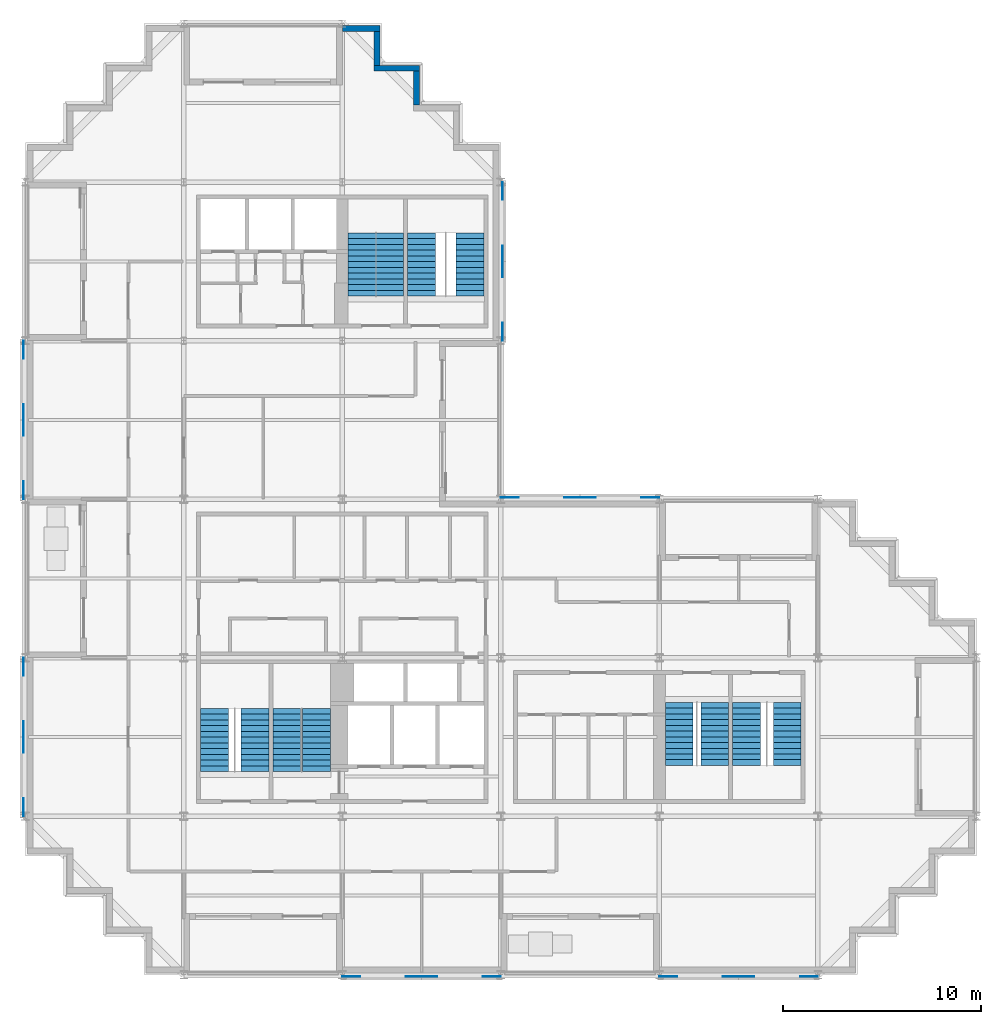
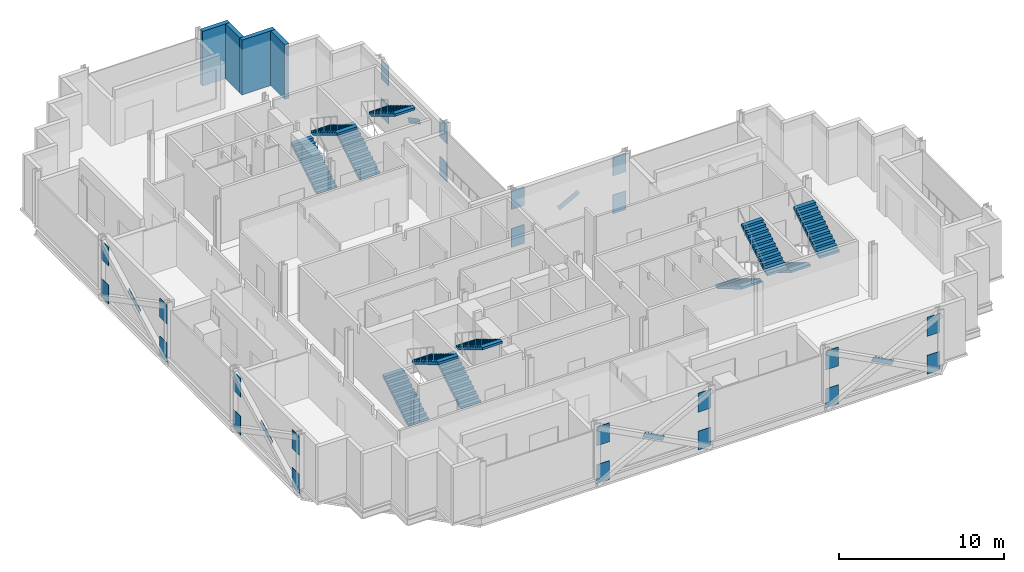
# One storey, part 9 of 11: 30 discrete accessories, 12 stair flights, 4 walls, 6 elements without a shape of their own.
"""IFC4 building model written with IfcOpenShell, lengths in metres."""

import ifcopenshell
import ifcopenshell.guid

model = None  # the IFC model being written
_history = None  # IfcOwnerHistory: only IFC2X3 demands one
_inside = {}  # id of a spatial element -> (the spatial element, [elements in it])
_under = {}  # id of a project, library or spatial element -> (it, [spatial elements below it])
_declared = {}  # id of a project -> (the project, [libraries it declares])
_typed = {}  # id of a type object -> (the type object, [elements of that type])
_made_of = {}  # id of a material, layer set ... -> (it, [elements and type objects made of it])


def new_model(schema):
    """Start an empty IFC model of exactly this schema.

    Asked for "IFC4X3", IfcOpenShell would pick the latest addendum, in which some entities
    have other attributes; the version numbers below select the first issue.
    IFC2X3 requires an IfcOwnerHistory on every rooted entity: one is made here for all.
    """
    global model, _history
    if schema == "IFC4X3":
        model = ifcopenshell.file(schema_version=(4, 3, 0, 0))
    else:
        model = ifcopenshell.file(schema=schema)
    _inside.clear()
    _under.clear()
    _declared.clear()
    _typed.clear()
    _made_of.clear()
    _history = None
    if model.schema == "IFC2X3":
        org = make("IfcOrganization", Name="unknown")
        user = make(
            "IfcPersonAndOrganization",
            ThePerson=make("IfcPerson", FamilyName="unknown"),
            TheOrganization=org,
        )
        app = make(
            "IfcApplication",
            ApplicationDeveloper=org,
            Version="unknown",
            ApplicationFullName="unknown",
            ApplicationIdentifier="unknown",
        )
        _history = make(
            "IfcOwnerHistory",
            OwningUser=user,
            OwningApplication=app,
            ChangeAction="ADDED",
            CreationDate=0,
        )
    return model


def make(cls, **values):
    """One entity of the class cls with the attributes given. An attribute that is None is left unset."""
    return model.create_entity(
        cls, **{name: value for name, value in values.items() if value is not None}
    )


def rooted(cls, **values):
    """An entity with a GlobalId (a new one), such as an element, a storey or a relation."""
    return make(cls, GlobalId=ifcopenshell.guid.new(), OwnerHistory=_history, **values)


def si_unit(unit_type, name, prefix=None):
    """IfcSIUnit, for example si_unit("LENGTHUNIT", "METRE", prefix="MILLI")."""
    return make("IfcSIUnit", UnitType=unit_type, Prefix=prefix, Name=name)


def assignment(units):
    """IfcUnitAssignment: the units of a project."""
    return None if units is None else make("IfcUnitAssignment", Units=units)


def point(xyz):
    """IfcCartesianPoint."""
    return None if xyz is None else make("IfcCartesianPoint", Coordinates=xyz)


def direction(xyz):
    """IfcDirection."""
    return None if xyz is None else make("IfcDirection", DirectionRatios=xyz)


def frame(location, z_axis=None, x_axis=None):
    """IfcAxis2Placement3D, a coordinate frame: its origin and axes. An axis left out is left unset."""
    return make(
        "IfcAxis2Placement3D",
        Location=point(location),
        Axis=direction(z_axis),
        RefDirection=direction(x_axis),
    )


def frame_2d(location, x_axis=None):
    """IfcAxis2Placement2D, a coordinate frame in the plane: its origin and x axis."""
    return make(
        "IfcAxis2Placement2D", Location=point(location), RefDirection=direction(x_axis)
    )


def origin():
    """The frame at (0, 0, 0) with its axes left unset."""
    return frame((0.0, 0.0, 0.0))


def origin_2d():
    """The frame at (0, 0) in the plane with its x axis left unset."""
    return frame_2d((0.0, 0.0))


def place(relative_to, where):
    """IfcLocalPlacement: puts the frame where relative to a parent placement (None: the world)."""
    return make(
        "IfcLocalPlacement", PlacementRelTo=relative_to, RelativePlacement=where
    )


def context(
    kind, dimensions, precision=None, world=None, true_north=None, identifier=None
):
    """IfcGeometricRepresentationContext, for example the 3D "Model" context."""
    return make(
        "IfcGeometricRepresentationContext",
        ContextIdentifier=identifier,
        ContextType=kind,
        CoordinateSpaceDimension=dimensions,
        Precision=precision,
        WorldCoordinateSystem=world,
        TrueNorth=true_north,
    )


def subcontext(parent, identifier, kind, view, scale=None):
    """IfcGeometricRepresentationSubContext, for example "Body" below "Model"."""
    return make(
        "IfcGeometricRepresentationSubContext",
        ContextIdentifier=identifier,
        ContextType=kind,
        ParentContext=parent,
        TargetScale=scale,
        TargetView=view,
    )


def project(units=None, contexts=None):
    """IfcProject with its units and contexts."""
    return rooted(
        "IfcProject",
        Name="project",
        RepresentationContexts=contexts,
        UnitsInContext=assignment(units),
    )


def spatial(cls, under=None, at=None, **own):
    """A site, building, storey or space (cls), placed at a placement, below another one or the project."""
    s = rooted(cls, ObjectPlacement=at, **own)
    if under is not None:
        _under.setdefault(under.id(), (under, []))[1].append(s)
    return s


def polyline(points):
    """IfcPolyline through the points."""
    return make("IfcPolyline", Points=[point(p) for p in points])


def profile(cls, at=None, kind="AREA", **sizes):
    """A parametric profile (cls). Its sizes go by their IFC names, for example OverallWidth=200.0."""
    return make(cls, ProfileType=kind, Position=at, **sizes)


def rectangle(**sizes):
    """IfcRectangleProfileDef."""
    return profile("IfcRectangleProfileDef", **sizes)


def outline(outer, holes=None, kind="AREA"):
    """IfcArbitraryClosedProfileDef: a profile drawn as a closed curve; with holes, ...WithVoids."""
    if holes is None:
        return make("IfcArbitraryClosedProfileDef", ProfileType=kind, OuterCurve=outer)
    return make(
        "IfcArbitraryProfileDefWithVoids",
        ProfileType=kind,
        OuterCurve=outer,
        InnerCurves=holes,
    )


def extrude(swept, where, along, depth):
    """IfcExtrudedAreaSolid: the profile swept, set in the frame where, extruded along a direction by depth."""
    return make(
        "IfcExtrudedAreaSolid",
        SweptArea=swept,
        Position=where,
        ExtrudedDirection=direction(along),
        Depth=depth,
    )


def shape(context_of_items, identifier, shape_type, items):
    """IfcShapeRepresentation: the items that make up one representation, for example the "Body"."""
    return make(
        "IfcShapeRepresentation",
        ContextOfItems=context_of_items,
        RepresentationIdentifier=identifier,
        RepresentationType=shape_type,
        Items=items,
    )


def material(Name=None, Category=None):
    """IfcMaterial."""
    return make("IfcMaterial", Name=Name, Category=Category)


def layer(
    of_material, thickness, ventilated=None, Name=None, Category=None, Priority=None
):
    """IfcMaterialLayer: one layer of a wall or slab, of a material (None: an air gap)."""
    return make(
        "IfcMaterialLayer",
        Material=of_material,
        LayerThickness=thickness,
        IsVentilated=ventilated,
        Name=Name,
        Category=Category,
        Priority=Priority,
    )


def layer_set(layers, Name=None):
    """IfcMaterialLayerSet."""
    return make("IfcMaterialLayerSet", MaterialLayers=layers, LayerSetName=Name)


def material_profile(
    of_material, cross_section, Name=None, Category=None, Priority=None
):
    """IfcMaterialProfile: a cross section and its material."""
    return make(
        "IfcMaterialProfile",
        Name=Name,
        Material=of_material,
        Profile=cross_section,
        Priority=Priority,
        Category=Category,
    )


def profile_set(profiles, Name=None, composite=None):
    """IfcMaterialProfileSet."""
    return make(
        "IfcMaterialProfileSet",
        Name=Name,
        MaterialProfiles=profiles,
        CompositeProfile=composite,
    )


def made_of(thing, what):
    """Note that an element or type object is made of a material, layer set ...; save() writes the relation."""
    if what is not None:
        _made_of.setdefault(what.id(), (what, []))[1].append(thing)
    return thing


def type_object(cls, material=None, **own):
    """A type object (cls), such as IfcWallType, which elements share."""
    return made_of(rooted(cls, **own), material)


def element(
    cls,
    number,
    at=None,
    inside=None,
    cuts=None,
    type_object=None,
    material=None,
    context=None,
    identifier="Body",
    shape_type=None,
    held_by="IfcProductDefinitionShape",
    body=None,
    shapes=None,
    **own,
):
    """One element of the class cls, such as IfcWall. Its Tag is "e" and its number.

    at: its placement. inside: the storey or other place that contains it. cuts: it is an
    opening in that element (IfcRelVoidsElement). A single representation is given by context,
    identifier, shape_type and body (its items); several are given by shapes. held_by: the class
    of the entity that holds the representations. save() writes the other relations.
    """
    e = rooted(cls, Tag="e%d" % number, ObjectPlacement=at, **own)
    if body is not None:
        shapes = [shape(context, identifier, shape_type, body)]
    if shapes is not None:
        e.Representation = make(held_by, Representations=shapes)
    if inside is not None:
        _inside.setdefault(inside.id(), (inside, []))[1].append(e)
    if cuts is not None:
        rooted(
            "IfcRelVoidsElement", RelatingBuildingElement=cuts, RelatedOpeningElement=e
        )
    if type_object is not None:
        _typed.setdefault(type_object.id(), (type_object, []))[1].append(e)
    return made_of(e, material)


def aggregate(whole, parts):
    """IfcRelAggregates: a whole, such as a stair, and the parts it consists of."""
    return rooted("IfcRelAggregates", RelatingObject=whole, RelatedObjects=parts)


def save(model, path):
    """Write the relations noted so far, then the file.

    IfcRelAggregates (storeys below a building ...), IfcRelContainedInSpatialStructure (elements
    in a storey), IfcRelDefinesByType, IfcRelAssociatesMaterial and IfcRelDeclares: one each for
    every whole, place, type object, material and project.
    """
    for whole, parts in _under.values():
        aggregate(whole, parts)
    for where, things in _inside.values():
        rooted(
            "IfcRelContainedInSpatialStructure",
            RelatedElements=things,
            RelatingStructure=where,
        )
    for kind, things in _typed.values():
        rooted("IfcRelDefinesByType", RelatedObjects=things, RelatingType=kind)
    for what, things in _made_of.values():
        rooted("IfcRelAssociatesMaterial", RelatedObjects=things, RelatingMaterial=what)
    for by, libraries in _declared.values():
        rooted("IfcRelDeclares", RelatingContext=by, RelatedDefinitions=libraries)
    model.write(path)


model = new_model("IFC4")

# Units and contexts
model_context = context("Model", 3, precision=1e-05, world=origin(), true_north=direction((0.0, 1.0)))
body_context = subcontext(model_context, "Body", "Model", "MODEL_VIEW")
ifc_project = project(units=[si_unit("LENGTHUNIT", "METRE"), si_unit("AREAUNIT", "SQUARE_METRE"), si_unit("VOLUMEUNIT", "CUBIC_METRE"), si_unit("PLANEANGLEUNIT", "RADIAN"), si_unit("MASSUNIT", "GRAM", prefix="KILO")], contexts=[model_context])

# Site, building, storey
site_placement = place(None, origin())
site = spatial("IfcSite", under=ifc_project, at=site_placement, CompositionType="ELEMENT")
building_placement = place(site_placement, origin())
building = spatial("IfcBuilding", under=site, at=building_placement, Name="Immortelle Media Tower", CompositionType="ELEMENT")
storey_placement = place(building_placement, frame((0.0, 0.0, 157.800048828125)))
storey = spatial("IfcBuildingStorey", under=building, at=storey_placement, Name="L32", CompositionType="ELEMENT", Elevation=157.800048828125)

# Walls
ifc_material_1 = material(Name="Pale aluminium cladding panel", Category="aluminium")
ifc_layer_1 = layer(ifc_material_1, 0.030029296875)
ifc_material_2 = material(Name="Steel ASTM A653 SS Gr 50 stud frame with mineral wool", Category="steel")
ifc_layer_2 = layer(ifc_material_2, 0.257568359375)
ifc_material_3 = material(Name="Moisture-resistant gypsum board", Category="gypsum")
ifc_layer_3 = layer(ifc_material_3, 0.012451171875)
ifc_layer_set = layer_set([ifc_layer_1, ifc_layer_2, ifc_layer_3], Name="Steel ASTM A653 SS Gr 50 stud frame with mineral wool")
wall_type = type_object("IfcWallType", Name="Facade wall 300", PredefinedType="SOLIDWALL", material=ifc_layer_set)
wall_1_placement = place(storey_placement, frame((19.75, 43.89990234375, 0.0), z_axis=(0.0, 0.0, 1.0), x_axis=(0.0, 1.0, 0.0)))
element("IfcWall", 1, at=wall_1_placement, inside=storey, type_object=wall_type, Name="Facade wall L32 E25", PredefinedType="SOLIDWALL", context=body_context, shape_type="SweptSolid", body=[
    extrude(rectangle(XDim=1.7001953125, YDim=0.300048828125, at=frame_2d((0.85009765625, 0.0))), origin(), (0.0, 0.0, 1.0), 4.050048828125),
])
wall_2_placement = place(storey_placement, frame((19.89990234375, 45.75, 0.0), z_axis=(0.0, 0.0, 1.0), x_axis=(-1.0, 0.0, 0.0)))
element("IfcWall", 2, at=wall_2_placement, inside=storey, type_object=wall_type, Name="Facade wall L32 N26", PredefinedType="SOLIDWALL", context=body_context, shape_type="SweptSolid", body=[
    extrude(rectangle(XDim=2.2998046875, YDim=0.300048828125, at=frame_2d((1.14990234375, 0.0))), origin(), (0.0, 0.0, 1.0), 4.050048828125),
])
wall_3_placement = place(storey_placement, frame((17.75, 45.89990234375, 0.0), z_axis=(0.0, 0.0, 1.0), x_axis=(0.0, 1.0, 0.0)))
element("IfcWall", 3, at=wall_3_placement, inside=storey, type_object=wall_type, Name="Facade wall L32 E27", PredefinedType="SOLIDWALL", context=body_context, shape_type="SweptSolid", body=[
    extrude(rectangle(XDim=1.7001953125, YDim=0.300048828125, at=frame_2d((0.85009765625, 0.0))), origin(), (0.0, 0.0, 1.0), 4.050048828125),
])
wall_4_placement = place(storey_placement, frame((17.89990234375, 47.75, 0.0), z_axis=(0.0, 0.0, 1.0), x_axis=(-1.0, 0.0, 0.0)))
element("IfcWall", 4, at=wall_4_placement, inside=storey, type_object=wall_type, Name="Facade wall L32 N28", PredefinedType="SOLIDWALL", context=body_context, shape_type="SweptSolid", body=[
    extrude(rectangle(XDim=1.89990234375, YDim=0.300048828125, at=frame_2d((0.949951171875, 0.0))), origin(), (0.0, 0.0, 1.0), 4.050048828125),
])

# Stair, stair flights
ifc_material_4 = material(Name="Steel ASTM A992 Gr 50", Category="steel")
stair_type = type_object("IfcStairType", Name="Stair with flights", PredefinedType="DOUBLE_RETURN_STAIR", material=ifc_material_4)
stair_1_placement = place(storey_placement, origin())
stair_1 = element("IfcStair", 5, at=stair_1_placement, inside=storey, type_object=stair_type, Name="Exit stair SW1", PredefinedType="DOUBLE_RETURN_STAIR")
stair_flight_type = type_object("IfcStairFlightType", Name="Stair flight 1400", PredefinedType="STRAIGHT", material=ifc_material_4)
stair_flight_1_placement = place(storey_placement, frame((9.550048828125, 10.25, 0.0), z_axis=(0.0, 0.0, 1.0), x_axis=(0.0, 1.0, 0.0)))
stair_flight_1 = element("IfcStairFlight", 6, at=stair_flight_1_placement, type_object=stair_flight_type, Name="ST SW1 flight 1", NumberOfRisers=12, NumberOfTreads=11, PredefinedType="STRAIGHT", RiserHeight=0.175, TreadLength=0.29, context=body_context, shape_type="SweptSolid", body=[
    extrude(outline(polyline([(0.0, 0.0), (0.0, 0.175048828125), (0.2900390625, 0.175048828125), (0.2900390625, 0.35009765625), (0.580078125, 0.35009765625), (0.580078125, 0.52490234375), (0.8701171875, 0.52490234375), (0.8701171875, 0.699951171875), (1.159912109375, 0.699951171875), (1.159912109375, 0.875), (1.449951171875, 0.875), (1.449951171875, 1.050048828125), (1.739990234375, 1.050048828125), (1.739990234375, 1.22509765625), (2.030029296875, 1.22509765625), (2.030029296875, 1.39990234375), (2.320068359375, 1.39990234375), (2.320068359375, 1.574951171875), (2.610107421875, 1.574951171875), (2.610107421875, 1.75), (2.89990234375, 1.75), (2.89990234375, 1.925048828125), (3.18994140625, 1.925048828125), (3.18994140625, 2.10009765625), (3.18994140625, 1.75), (0.2900390625, 0.0), (0.0, 0.0)])), frame((0.0, 0.699951171875, 0.0), z_axis=(0.0, -1.0, 0.0), x_axis=(1.0, 0.0, 0.0)), (0.0, 0.0, 1.0), 1.39990234375),
])
stair_flight_2_placement = place(storey_placement, frame((11.60009765625, 13.43994140625, 2.099853515625), z_axis=(0.0, 0.0, 1.0), x_axis=(0.0, -1.0, 0.0)))
stair_flight_2 = element("IfcStairFlight", 7, at=stair_flight_2_placement, type_object=stair_flight_type, Name="ST SW1 flight 2", NumberOfRisers=12, NumberOfTreads=11, PredefinedType="STRAIGHT", RiserHeight=0.175, TreadLength=0.29, context=body_context, shape_type="SweptSolid", body=[
    extrude(outline(polyline([(0.0, 0.0), (0.0, 0.175048828125), (0.2900390625, 0.175048828125), (0.2900390625, 0.35009765625), (0.580078125, 0.35009765625), (0.580078125, 0.52490234375), (0.8701171875, 0.52490234375), (0.8701171875, 0.699951171875), (1.159912109375, 0.699951171875), (1.159912109375, 0.875), (1.449951171875, 0.875), (1.449951171875, 1.050048828125), (1.739990234375, 1.050048828125), (1.739990234375, 1.22509765625), (2.030029296875, 1.22509765625), (2.030029296875, 1.39990234375), (2.320068359375, 1.39990234375), (2.320068359375, 1.574951171875), (2.610107421875, 1.574951171875), (2.610107421875, 1.75), (2.89990234375, 1.75), (2.89990234375, 1.925048828125), (3.18994140625, 1.925048828125), (3.18994140625, 2.10009765625), (3.18994140625, 1.75), (0.2900390625, 0.0), (0.0, 0.0)])), frame((0.0, 0.699951171875, 0.0), z_axis=(0.0, -1.0, 0.0), x_axis=(1.0, 0.0, 0.0)), (0.0, 0.0, 1.0), 1.39990234375),
])
aggregate(stair_1, [stair_flight_1, stair_flight_2])

stair_2_placement = place(storey_placement, origin())
stair_2 = element("IfcStair", 8, at=stair_2_placement, inside=storey, type_object=stair_type, Name="Exit stair SW2", PredefinedType="DOUBLE_RETURN_STAIR")
stair_flight_3_placement = place(storey_placement, frame((13.199951171875, 10.25, 0.0), z_axis=(0.0, 0.0, 1.0), x_axis=(0.0, 1.0, 0.0)))
stair_flight_3 = element("IfcStairFlight", 9, at=stair_flight_3_placement, type_object=stair_flight_type, Name="ST SW2 flight 1", NumberOfRisers=12, NumberOfTreads=11, PredefinedType="STRAIGHT", RiserHeight=0.175, TreadLength=0.29, context=body_context, shape_type="SweptSolid", body=[
    extrude(outline(polyline([(0.0, 0.0), (0.0, 0.175048828125), (0.2900390625, 0.175048828125), (0.2900390625, 0.35009765625), (0.580078125, 0.35009765625), (0.580078125, 0.52490234375), (0.8701171875, 0.52490234375), (0.8701171875, 0.699951171875), (1.159912109375, 0.699951171875), (1.159912109375, 0.875), (1.449951171875, 0.875), (1.449951171875, 1.050048828125), (1.739990234375, 1.050048828125), (1.739990234375, 1.22509765625), (2.030029296875, 1.22509765625), (2.030029296875, 1.39990234375), (2.320068359375, 1.39990234375), (2.320068359375, 1.574951171875), (2.610107421875, 1.574951171875), (2.610107421875, 1.75), (2.89990234375, 1.75), (2.89990234375, 1.925048828125), (3.18994140625, 1.925048828125), (3.18994140625, 2.10009765625), (3.18994140625, 1.75), (0.2900390625, 0.0), (0.0, 0.0)])), frame((0.0, 0.699951171875, 0.0), z_axis=(0.0, -1.0, 0.0), x_axis=(1.0, 0.0, 0.0)), (0.0, 0.0, 1.0), 1.39990234375),
])
stair_flight_4_placement = place(storey_placement, frame((14.699951171875, 13.43994140625, 2.099853515625), z_axis=(0.0, 0.0, 1.0), x_axis=(0.0, -1.0, 0.0)))
stair_flight_4 = element("IfcStairFlight", 10, at=stair_flight_4_placement, type_object=stair_flight_type, Name="ST SW2 flight 2", NumberOfRisers=12, NumberOfTreads=11, PredefinedType="STRAIGHT", RiserHeight=0.175, TreadLength=0.29, context=body_context, shape_type="SweptSolid", body=[
    extrude(outline(polyline([(0.0, 0.0), (0.0, 0.175048828125), (0.2900390625, 0.175048828125), (0.2900390625, 0.35009765625), (0.580078125, 0.35009765625), (0.580078125, 0.52490234375), (0.8701171875, 0.52490234375), (0.8701171875, 0.699951171875), (1.159912109375, 0.699951171875), (1.159912109375, 0.875), (1.449951171875, 0.875), (1.449951171875, 1.050048828125), (1.739990234375, 1.050048828125), (1.739990234375, 1.22509765625), (2.030029296875, 1.22509765625), (2.030029296875, 1.39990234375), (2.320068359375, 1.39990234375), (2.320068359375, 1.574951171875), (2.610107421875, 1.574951171875), (2.610107421875, 1.75), (2.89990234375, 1.75), (2.89990234375, 1.925048828125), (3.18994140625, 1.925048828125), (3.18994140625, 2.10009765625), (3.18994140625, 1.75), (0.2900390625, 0.0), (0.0, 0.0)])), frame((0.0, 0.699951171875, 0.0), z_axis=(0.0, -1.0, 0.0), x_axis=(1.0, 0.0, 0.0)), (0.0, 0.0, 1.0), 1.39990234375),
])
aggregate(stair_2, [stair_flight_3, stair_flight_4])

stair_3_placement = place(storey_placement, origin())
stair_3 = element("IfcStair", 11, at=stair_3_placement, inside=storey, type_object=stair_type, Name="Exit stair SE1", PredefinedType="DOUBLE_RETURN_STAIR")
stair_flight_5_placement = place(storey_placement, frame((33.0, 13.75, 0.0), z_axis=(0.0, 0.0, 1.0), x_axis=(0.0, -1.0, 0.0)))
stair_flight_5 = element("IfcStairFlight", 12, at=stair_flight_5_placement, type_object=stair_flight_type, Name="ST SE1 flight 1", NumberOfRisers=12, NumberOfTreads=11, PredefinedType="STRAIGHT", RiserHeight=0.175, TreadLength=0.29, context=body_context, shape_type="SweptSolid", body=[
    extrude(outline(polyline([(0.0, 0.0), (0.0, 0.175048828125), (0.2900390625, 0.175048828125), (0.2900390625, 0.35009765625), (0.580078125, 0.35009765625), (0.580078125, 0.52490234375), (0.8701171875, 0.52490234375), (0.8701171875, 0.699951171875), (1.159912109375, 0.699951171875), (1.159912109375, 0.875), (1.449951171875, 0.875), (1.449951171875, 1.050048828125), (1.739990234375, 1.050048828125), (1.739990234375, 1.22509765625), (2.030029296875, 1.22509765625), (2.030029296875, 1.39990234375), (2.320068359375, 1.39990234375), (2.320068359375, 1.574951171875), (2.610107421875, 1.574951171875), (2.610107421875, 1.75), (2.89990234375, 1.75), (2.89990234375, 1.925048828125), (3.18994140625, 1.925048828125), (3.18994140625, 2.10009765625), (3.18994140625, 1.75), (0.2900390625, 0.0), (0.0, 0.0)])), frame((0.0, 0.699951171875, 0.0), z_axis=(0.0, -1.0, 0.0), x_axis=(1.0, 0.0, 0.0)), (0.0, 0.0, 1.0), 1.39990234375),
])
stair_flight_6_placement = place(storey_placement, frame((34.800048828125, 10.56005859375, 2.099853515625), z_axis=(0.0, 0.0, 1.0), x_axis=(0.0, 1.0, 0.0)))
stair_flight_6 = element("IfcStairFlight", 13, at=stair_flight_6_placement, type_object=stair_flight_type, Name="ST SE1 flight 2", NumberOfRisers=12, NumberOfTreads=11, PredefinedType="STRAIGHT", RiserHeight=0.175, TreadLength=0.29, context=body_context, shape_type="SweptSolid", body=[
    extrude(outline(polyline([(0.0, 0.0), (0.0, 0.175048828125), (0.2900390625, 0.175048828125), (0.2900390625, 0.35009765625), (0.580078125, 0.35009765625), (0.580078125, 0.52490234375), (0.8701171875, 0.52490234375), (0.8701171875, 0.699951171875), (1.159912109375, 0.699951171875), (1.159912109375, 0.875), (1.449951171875, 0.875), (1.449951171875, 1.050048828125), (1.739990234375, 1.050048828125), (1.739990234375, 1.22509765625), (2.030029296875, 1.22509765625), (2.030029296875, 1.39990234375), (2.320068359375, 1.39990234375), (2.320068359375, 1.574951171875), (2.610107421875, 1.574951171875), (2.610107421875, 1.75), (2.89990234375, 1.75), (2.89990234375, 1.925048828125), (3.18994140625, 1.925048828125), (3.18994140625, 2.10009765625), (3.18994140625, 1.75), (0.2900390625, 0.0), (0.0, 0.0)])), frame((0.0, 0.699951171875, 0.0), z_axis=(0.0, -1.0, 0.0), x_axis=(1.0, 0.0, 0.0)), (0.0, 0.0, 1.0), 1.39990234375),
])
aggregate(stair_3, [stair_flight_5, stair_flight_6])

stair_4_placement = place(storey_placement, origin())
stair_4 = element("IfcStair", 14, at=stair_4_placement, inside=storey, type_object=stair_type, Name="Exit stair SE2", PredefinedType="DOUBLE_RETURN_STAIR")
stair_flight_7_placement = place(storey_placement, frame((36.39990234375, 13.75, 0.0), z_axis=(0.0, 0.0, 1.0), x_axis=(0.0, -1.0, 0.0)))
stair_flight_7 = element("IfcStairFlight", 15, at=stair_flight_7_placement, type_object=stair_flight_type, Name="ST SE2 flight 1", NumberOfRisers=12, NumberOfTreads=11, PredefinedType="STRAIGHT", RiserHeight=0.175, TreadLength=0.29, context=body_context, shape_type="SweptSolid", body=[
    extrude(outline(polyline([(0.0, 0.0), (0.0, 0.175048828125), (0.2900390625, 0.175048828125), (0.2900390625, 0.35009765625), (0.580078125, 0.35009765625), (0.580078125, 0.52490234375), (0.8701171875, 0.52490234375), (0.8701171875, 0.699951171875), (1.159912109375, 0.699951171875), (1.159912109375, 0.875), (1.449951171875, 0.875), (1.449951171875, 1.050048828125), (1.739990234375, 1.050048828125), (1.739990234375, 1.22509765625), (2.030029296875, 1.22509765625), (2.030029296875, 1.39990234375), (2.320068359375, 1.39990234375), (2.320068359375, 1.574951171875), (2.610107421875, 1.574951171875), (2.610107421875, 1.75), (2.89990234375, 1.75), (2.89990234375, 1.925048828125), (3.18994140625, 1.925048828125), (3.18994140625, 2.10009765625), (3.18994140625, 1.75), (0.2900390625, 0.0), (0.0, 0.0)])), frame((0.0, 0.699951171875, 0.0), z_axis=(0.0, -1.0, 0.0), x_axis=(1.0, 0.0, 0.0)), (0.0, 0.0, 1.0), 1.39990234375),
])
stair_flight_8_placement = place(storey_placement, frame((38.449951171875, 10.56005859375, 2.099853515625), z_axis=(0.0, 0.0, 1.0), x_axis=(0.0, 1.0, 0.0)))
stair_flight_8 = element("IfcStairFlight", 16, at=stair_flight_8_placement, type_object=stair_flight_type, Name="ST SE2 flight 2", NumberOfRisers=12, NumberOfTreads=11, PredefinedType="STRAIGHT", RiserHeight=0.175, TreadLength=0.29, context=body_context, shape_type="SweptSolid", body=[
    extrude(outline(polyline([(0.0, 0.0), (0.0, 0.175048828125), (0.2900390625, 0.175048828125), (0.2900390625, 0.35009765625), (0.580078125, 0.35009765625), (0.580078125, 0.52490234375), (0.8701171875, 0.52490234375), (0.8701171875, 0.699951171875), (1.159912109375, 0.699951171875), (1.159912109375, 0.875), (1.449951171875, 0.875), (1.449951171875, 1.050048828125), (1.739990234375, 1.050048828125), (1.739990234375, 1.22509765625), (2.030029296875, 1.22509765625), (2.030029296875, 1.39990234375), (2.320068359375, 1.39990234375), (2.320068359375, 1.574951171875), (2.610107421875, 1.574951171875), (2.610107421875, 1.75), (2.89990234375, 1.75), (2.89990234375, 1.925048828125), (3.18994140625, 1.925048828125), (3.18994140625, 2.10009765625), (3.18994140625, 1.75), (0.2900390625, 0.0), (0.0, 0.0)])), frame((0.0, 0.699951171875, 0.0), z_axis=(0.0, -1.0, 0.0), x_axis=(1.0, 0.0, 0.0)), (0.0, 0.0, 1.0), 1.39990234375),
])
aggregate(stair_4, [stair_flight_7, stair_flight_8])

stair_5_placement = place(storey_placement, origin())
stair_5 = element("IfcStair", 17, at=stair_5_placement, inside=storey, type_object=stair_type, Name="Exit stair NW1", PredefinedType="DOUBLE_RETURN_STAIR")
stair_flight_9_placement = place(storey_placement, frame((17.0, 34.25, 0.0), z_axis=(0.0, 0.0, 1.0), x_axis=(0.0, 1.0, 0.0)))
stair_flight_9 = element("IfcStairFlight", 18, at=stair_flight_9_placement, type_object=stair_flight_type, Name="ST NW1 flight 1", NumberOfRisers=12, NumberOfTreads=11, PredefinedType="STRAIGHT", RiserHeight=0.175, TreadLength=0.29, context=body_context, shape_type="SweptSolid", body=[
    extrude(outline(polyline([(0.0, 0.0), (0.0, 0.175048828125), (0.2900390625, 0.175048828125), (0.2900390625, 0.35009765625), (0.580078125, 0.35009765625), (0.580078125, 0.52490234375), (0.8701171875, 0.52490234375), (0.8701171875, 0.699951171875), (1.159912109375, 0.699951171875), (1.159912109375, 0.875), (1.449951171875, 0.875), (1.449951171875, 1.050048828125), (1.739990234375, 1.050048828125), (1.739990234375, 1.22509765625), (2.030029296875, 1.22509765625), (2.030029296875, 1.39990234375), (2.320068359375, 1.39990234375), (2.320068359375, 1.574951171875), (2.610107421875, 1.574951171875), (2.610107421875, 1.75), (2.89990234375, 1.75), (2.89990234375, 1.925048828125), (3.18994140625, 1.925048828125), (3.18994140625, 2.10009765625), (3.18994140625, 1.75), (0.2900390625, 0.0), (0.0, 0.0)])), frame((0.0, 0.699951171875, 0.0), z_axis=(0.0, -1.0, 0.0), x_axis=(1.0, 0.0, 0.0)), (0.0, 0.0, 1.0), 1.39990234375),
])
stair_flight_10_placement = place(storey_placement, frame((18.39990234375, 37.43994140625, 2.099853515625), z_axis=(0.0, 0.0, 1.0), x_axis=(0.0, -1.0, 0.0)))
stair_flight_10 = element("IfcStairFlight", 19, at=stair_flight_10_placement, type_object=stair_flight_type, Name="ST NW1 flight 2", NumberOfRisers=12, NumberOfTreads=11, PredefinedType="STRAIGHT", RiserHeight=0.175, TreadLength=0.29, context=body_context, shape_type="SweptSolid", body=[
    extrude(outline(polyline([(0.0, 0.0), (0.0, 0.175048828125), (0.2900390625, 0.175048828125), (0.2900390625, 0.35009765625), (0.580078125, 0.35009765625), (0.580078125, 0.52490234375), (0.8701171875, 0.52490234375), (0.8701171875, 0.699951171875), (1.159912109375, 0.699951171875), (1.159912109375, 0.875), (1.449951171875, 0.875), (1.449951171875, 1.050048828125), (1.739990234375, 1.050048828125), (1.739990234375, 1.22509765625), (2.030029296875, 1.22509765625), (2.030029296875, 1.39990234375), (2.320068359375, 1.39990234375), (2.320068359375, 1.574951171875), (2.610107421875, 1.574951171875), (2.610107421875, 1.75), (2.89990234375, 1.75), (2.89990234375, 1.925048828125), (3.18994140625, 1.925048828125), (3.18994140625, 2.10009765625), (3.18994140625, 1.75), (0.2900390625, 0.0), (0.0, 0.0)])), frame((0.0, 0.699951171875, 0.0), z_axis=(0.0, -1.0, 0.0), x_axis=(1.0, 0.0, 0.0)), (0.0, 0.0, 1.0), 1.39990234375),
])
aggregate(stair_5, [stair_flight_9, stair_flight_10])

stair_6_placement = place(storey_placement, origin())
stair_6 = element("IfcStair", 20, at=stair_6_placement, inside=storey, type_object=stair_type, Name="Exit stair NW2", PredefinedType="DOUBLE_RETURN_STAIR")
stair_flight_11_placement = place(storey_placement, frame((20.0, 34.25, 0.0), z_axis=(0.0, 0.0, 1.0), x_axis=(0.0, 1.0, 0.0)))
stair_flight_11 = element("IfcStairFlight", 21, at=stair_flight_11_placement, type_object=stair_flight_type, Name="ST NW2 flight 1", NumberOfRisers=12, NumberOfTreads=11, PredefinedType="STRAIGHT", RiserHeight=0.175, TreadLength=0.29, context=body_context, shape_type="SweptSolid", body=[
    extrude(outline(polyline([(0.0, 0.0), (0.0, 0.175048828125), (0.2900390625, 0.175048828125), (0.2900390625, 0.35009765625), (0.580078125, 0.35009765625), (0.580078125, 0.52490234375), (0.8701171875, 0.52490234375), (0.8701171875, 0.699951171875), (1.159912109375, 0.699951171875), (1.159912109375, 0.875), (1.449951171875, 0.875), (1.449951171875, 1.050048828125), (1.739990234375, 1.050048828125), (1.739990234375, 1.22509765625), (2.030029296875, 1.22509765625), (2.030029296875, 1.39990234375), (2.320068359375, 1.39990234375), (2.320068359375, 1.574951171875), (2.610107421875, 1.574951171875), (2.610107421875, 1.75), (2.89990234375, 1.75), (2.89990234375, 1.925048828125), (3.18994140625, 1.925048828125), (3.18994140625, 2.10009765625), (3.18994140625, 1.75), (0.2900390625, 0.0), (0.0, 0.0)])), frame((0.0, 0.699951171875, 0.0), z_axis=(0.0, -1.0, 0.0), x_axis=(1.0, 0.0, 0.0)), (0.0, 0.0, 1.0), 1.39990234375),
])
stair_flight_12_placement = place(storey_placement, frame((22.449951171875, 37.43994140625, 2.099853515625), z_axis=(0.0, 0.0, 1.0), x_axis=(0.0, -1.0, 0.0)))
stair_flight_12 = element("IfcStairFlight", 22, at=stair_flight_12_placement, type_object=stair_flight_type, Name="ST NW2 flight 2", NumberOfRisers=12, NumberOfTreads=11, PredefinedType="STRAIGHT", RiserHeight=0.175, TreadLength=0.29, context=body_context, shape_type="SweptSolid", body=[
    extrude(outline(polyline([(0.0, 0.0), (0.0, 0.175048828125), (0.2900390625, 0.175048828125), (0.2900390625, 0.35009765625), (0.580078125, 0.35009765625), (0.580078125, 0.52490234375), (0.8701171875, 0.52490234375), (0.8701171875, 0.699951171875), (1.159912109375, 0.699951171875), (1.159912109375, 0.875), (1.449951171875, 0.875), (1.449951171875, 1.050048828125), (1.739990234375, 1.050048828125), (1.739990234375, 1.22509765625), (2.030029296875, 1.22509765625), (2.030029296875, 1.39990234375), (2.320068359375, 1.39990234375), (2.320068359375, 1.574951171875), (2.610107421875, 1.574951171875), (2.610107421875, 1.75), (2.89990234375, 1.75), (2.89990234375, 1.925048828125), (3.18994140625, 1.925048828125), (3.18994140625, 2.10009765625), (3.18994140625, 1.75), (0.2900390625, 0.0), (0.0, 0.0)])), frame((0.0, 0.699951171875, 0.0), z_axis=(0.0, -1.0, 0.0), x_axis=(1.0, 0.0, 0.0)), (0.0, 0.0, 1.0), 1.39990234375),
])
aggregate(stair_6, [stair_flight_11, stair_flight_12])

# Discrete accessories
ifc_material_5 = material(Name="Steel ASTM A572 Gr 50", Category="steel")
ifc_material_profile_1 = material_profile(ifc_material_5, rectangle(XDim=0.02392578125, YDim=0.35595703125, at=origin_2d()), Name="PL 24 x 356")
ifc_profile_set_1 = profile_set([ifc_material_profile_1], Name="Steel ASTM A572 Gr 50")
discrete_accessory_type_1 = type_object("IfcDiscreteAccessoryType", Name="Crossing plate XP-BR5 1600 x 356 x 24", PredefinedType="USERDEFINED", material=ifc_profile_set_1)
for number, where, z_axis, x_axis, name in (
    (23, (28.708251953125, 24.087890625, 2.015869140625), (-0.885338234428, 0.0, -0.464947535385), (0.0, -1.0, 0.0), "Crossing plate XP-BR5 of Brace D/4-5 A and Brace D/4-5 B"),
    (24, (24.087890625, 35.291748046875, 2.015869140625), (0.0, 0.885338234428, -0.464947535385), (-1.0, 0.0, 0.0), "Crossing plate XP-BR5 of Brace 4/E-F A and Brace 4/E-F B"),
    (25, (-0.087890625, 28.708251953125, 2.015869140625), (0.0, -0.885338234428, -0.464947535385), (1.0, 0.0, 0.0), "Crossing plate XP-BR5 of Brace 1/D-E A and Brace 1/D-E B"),
    (26, (-0.087890625, 12.708251953125, 2.015869140625), (0.0, -0.885338234428, -0.464947535385), (1.0, 0.0, 0.0), "Crossing plate XP-BR5 of Brace 1/B-C A and Brace 1/B-C B"),
    (27, (19.291748046875, -0.087890625, 2.015869140625), (0.885338234428, 0.0, -0.464947535385), (0.0, 1.0, 0.0), "Crossing plate XP-BR5 of Brace A/3-4 A and Brace A/3-4 B"),
    (28, (35.291748046875, -0.087890625, 2.015869140625), (0.885338234428, 0.0, -0.464947535385), (0.0, 1.0, 0.0), "Crossing plate XP-BR5 of Brace A/5-6 A and Brace A/5-6 B"),
):
    element("IfcDiscreteAccessory", number, at=place(storey_placement, frame(where, z_axis=z_axis, x_axis=x_axis)), inside=storey, type_object=discrete_accessory_type_1, Name=name, ObjectType="CROSSING PLATE", PredefinedType="USERDEFINED", context=body_context, shape_type="SweptSolid", body=[
        extrude(rectangle(XDim=0.02392578125, YDim=0.35595703125, at=origin_2d()), origin(), (0.0, 0.0, 1.0), 1.599853515625),
    ])
ifc_material_profile_2 = material_profile(ifc_material_5, rectangle(XDim=0.031982421875, YDim=1.39990234375, at=origin_2d()), Name="PL 32 x 1400")
ifc_profile_set_2 = profile_set([ifc_material_profile_2], Name="Steel ASTM A572 Gr 50")
discrete_accessory_type_2 = type_object("IfcDiscreteAccessoryType", Name="Gusset plate GP1 900 x 1400 x 32", PredefinedType="USERDEFINED", material=ifc_profile_set_2)
for number, where, z_axis, x_axis, name in (
    (29, (16.0, -0.087890625, 0.243896484375), (1.0, 0.0, 0.0), (0.0, 1.0, 0.0), "Gusset plate GP1, lower end of Brace A/3-4 A"),
    (30, (24.0, -0.087890625, 3.0439453125), (-1.0, 0.0, 0.0), (0.0, -1.0, 0.0), "Gusset plate GP1, upper end of Brace A/3-4 A"),
    (31, (24.0, -0.087890625, 0.243896484375), (-1.0, 0.0, 0.0), (0.0, -1.0, 0.0), "Gusset plate GP1, lower end of Brace A/3-4 B"),
    (32, (16.0, -0.087890625, 3.0439453125), (1.0, 0.0, 0.0), (0.0, 1.0, 0.0), "Gusset plate GP1, upper end of Brace A/3-4 B"),
    (33, (32.0, -0.087890625, 0.243896484375), (1.0, 0.0, 0.0), (0.0, 1.0, 0.0), "Gusset plate GP1, lower end of Brace A/5-6 A"),
    (34, (40.0, -0.087890625, 3.0439453125), (-1.0, 0.0, 0.0), (0.0, -1.0, 0.0), "Gusset plate GP1, upper end of Brace A/5-6 A"),
    (35, (40.0, -0.087890625, 0.243896484375), (-1.0, 0.0, 0.0), (0.0, -1.0, 0.0), "Gusset plate GP1, lower end of Brace A/5-6 B"),
    (36, (32.0, -0.087890625, 3.0439453125), (1.0, 0.0, 0.0), (0.0, 1.0, 0.0), "Gusset plate GP1, upper end of Brace A/5-6 B"),
    (37, (32.0, 24.087890625, 0.243896484375), (-1.0, 0.0, 0.0), (0.0, -1.0, 0.0), "Gusset plate GP1, lower end of Brace D/4-5 A"),
    (38, (24.0, 24.087890625, 3.0439453125), (1.0, 0.0, 0.0), (0.0, 1.0, 0.0), "Gusset plate GP1, upper end of Brace D/4-5 A"),
    (39, (24.0, 24.087890625, 0.243896484375), (1.0, 0.0, 0.0), (0.0, 1.0, 0.0), "Gusset plate GP1, lower end of Brace D/4-5 B"),
    (40, (32.0, 24.087890625, 3.0439453125), (-1.0, 0.0, 0.0), (0.0, -1.0, 0.0), "Gusset plate GP1, upper end of Brace D/4-5 B"),
    (41, (24.087890625, 32.0, 0.243896484375), (0.0, 1.0, 0.0), (-1.0, 0.0, 0.0), "Gusset plate GP1, lower end of Brace 4/E-F A"),
    (42, (24.087890625, 40.0, 3.0439453125), (0.0, -1.0, 0.0), (1.0, 0.0, 0.0), "Gusset plate GP1, upper end of Brace 4/E-F A"),
    (43, (24.087890625, 40.0, 0.243896484375), (0.0, -1.0, 0.0), (1.0, 0.0, 0.0), "Gusset plate GP1, lower end of Brace 4/E-F B"),
    (44, (24.087890625, 32.0, 3.0439453125), (0.0, 1.0, 0.0), (-1.0, 0.0, 0.0), "Gusset plate GP1, upper end of Brace 4/E-F B"),
    (45, (-0.087890625, 32.0, 0.243896484375), (0.0, -1.0, 0.0), (1.0, 0.0, 0.0), "Gusset plate GP1, lower end of Brace 1/D-E A"),
    (46, (-0.087890625, 24.0, 3.0439453125), (0.0, 1.0, 0.0), (-1.0, 0.0, 0.0), "Gusset plate GP1, upper end of Brace 1/D-E A"),
    (47, (-0.087890625, 24.0, 0.243896484375), (0.0, 1.0, 0.0), (-1.0, 0.0, 0.0), "Gusset plate GP1, lower end of Brace 1/D-E B"),
    (48, (-0.087890625, 32.0, 3.0439453125), (0.0, -1.0, 0.0), (1.0, 0.0, 0.0), "Gusset plate GP1, upper end of Brace 1/D-E B"),
    (49, (-0.087890625, 16.0, 0.243896484375), (0.0, -1.0, 0.0), (1.0, 0.0, 0.0), "Gusset plate GP1, lower end of Brace 1/B-C A"),
    (50, (-0.087890625, 8.0, 3.0439453125), (0.0, 1.0, 0.0), (-1.0, 0.0, 0.0), "Gusset plate GP1, upper end of Brace 1/B-C A"),
    (51, (-0.087890625, 8.0, 0.243896484375), (0.0, 1.0, 0.0), (-1.0, 0.0, 0.0), "Gusset plate GP1, lower end of Brace 1/B-C B"),
    (52, (-0.087890625, 16.0, 3.0439453125), (0.0, -1.0, 0.0), (1.0, 0.0, 0.0), "Gusset plate GP1, upper end of Brace 1/B-C B"),
):
    element("IfcDiscreteAccessory", number, at=place(storey_placement, frame(where, z_axis=z_axis, x_axis=x_axis)), inside=storey, type_object=discrete_accessory_type_2, Name=name, ObjectType="GUSSET PLATE", PredefinedType="USERDEFINED", context=body_context, shape_type="SweptSolid", body=[
        extrude(rectangle(XDim=0.031982421875, YDim=1.39990234375, at=origin_2d()), origin(), (0.0, 0.0, 1.0), 0.89990234375),
    ])

save(model, "model.ifc")
